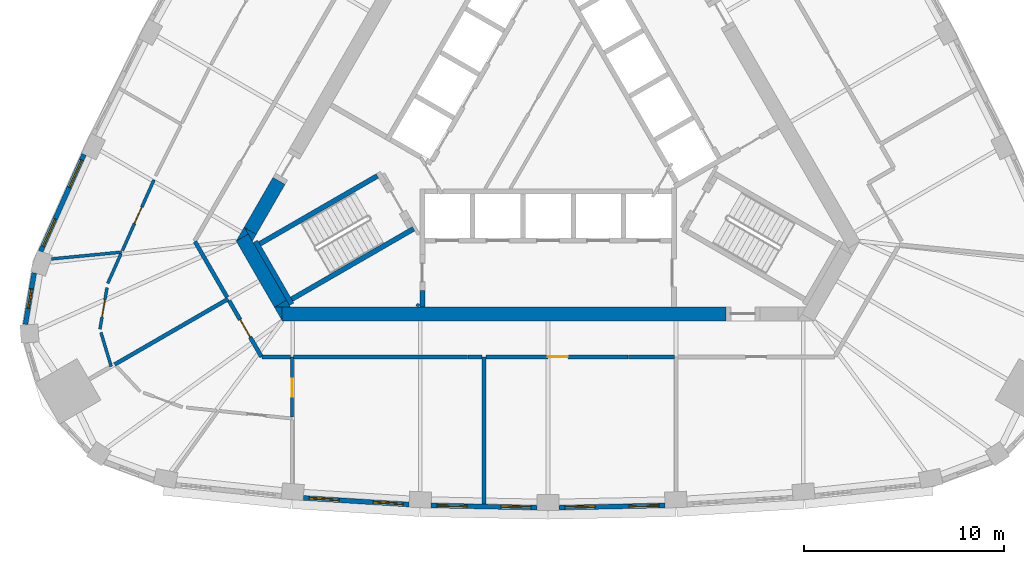
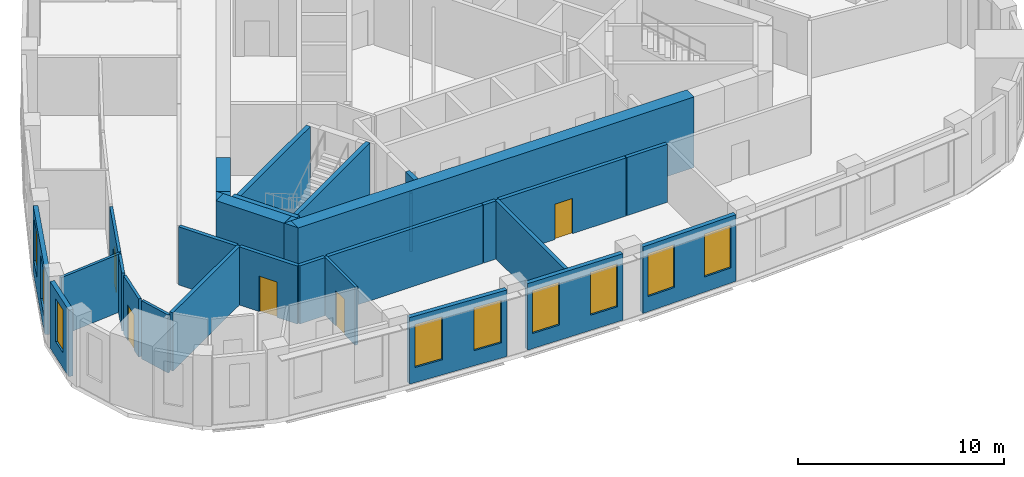
# One storey, part 3 of 10: 32 walls, 9 windows, 5 doors, 14 openings.
"""IFC4 building model written with IfcOpenShell, lengths in metres."""

from ifc_helpers import new_model, si_unit, direction, frame, frame_2d, origin, place, context, subcontext, project, spatial, polyline, rectangle, outline, extrude, material, layer, layer_set, type_object, element, fill, save


model = new_model("IFC4")

# Units and contexts
model_context = context("Model", 3, precision=1e-05, world=origin(), true_north=direction((0.0, 1.0)))
body_context = subcontext(model_context, "Body", "Model", "MODEL_VIEW")
ifc_project = project(units=[si_unit("LENGTHUNIT", "METRE"), si_unit("AREAUNIT", "SQUARE_METRE"), si_unit("VOLUMEUNIT", "CUBIC_METRE"), si_unit("PLANEANGLEUNIT", "RADIAN"), si_unit("MASSUNIT", "GRAM", prefix="KILO")], contexts=[model_context])

# Site, building, storey
site_placement = place(None, origin())
site = spatial("IfcSite", under=ifc_project, at=site_placement, CompositionType="ELEMENT")
building_placement = place(site_placement, origin())
building = spatial("IfcBuilding", under=site, at=building_placement, Name="Mestral Congress Tower", CompositionType="ELEMENT")
storey_placement = place(building_placement, frame((0.0, 0.0, 222.60009765625)))
storey = spatial("IfcBuildingStorey", under=building, at=storey_placement, Name="L52", CompositionType="ELEMENT", Elevation=222.60009765625)

# Walls
ifc_material_1 = material(Name="Fire-rated board partition")
ifc_layer_1 = layer(ifc_material_1, 0.14990234375)
ifc_layer_set_1 = layer_set([ifc_layer_1], Name="Fire-rated board partition")
wall_type_1 = type_object("IfcWallType", Name="Core partition 150", PredefinedType="PARTITIONING", material=ifc_layer_set_1)
wall_1_placement = place(storey_placement, frame((-6.552978515625, -9.6181640625, 0.0), z_axis=(0.0, 0.0, 1.0), x_axis=(0.499915430684, 0.866074224396, 0.0)))
element("IfcWall", 1, at=wall_1_placement, inside=storey, type_object=wall_type_1, Name="L52 core wall", PredefinedType="PARTITIONING", context=body_context, shape_type="SweptSolid", body=[
    extrude(rectangle(XDim=0.14599609375, YDim=0.14990234375, at=frame_2d((0.072998046875, 0.0))), origin(), (0.0, 0.0, 1.0), 3.449951171875),
])
ifc_material_2 = material(Name="Concrete C60/75", Category="concrete")
ifc_layer_2 = layer(ifc_material_2, 0.699951171875)
ifc_layer_set_2 = layer_set([ifc_layer_2], Name="Concrete C60/75")
wall_type_2 = type_object("IfcWallType", Name="Core wall RC 700", PredefinedType="SOLIDWALL", material=ifc_layer_set_2)
wall_2_placement = place(storey_placement, frame((8.904296875, -10.0, 0.0), z_axis=(0.0, 0.0, 1.0), x_axis=(-1.0, 0.0, 0.0)))
element("IfcWall", 2, at=wall_2_placement, inside=storey, type_object=wall_type_2, Name="L52 core wall", PredefinedType="SOLIDWALL", context=body_context, shape_type="SweptSolid", body=[
    extrude(rectangle(XDim=22.226318359375, YDim=0.699951171875, at=frame_2d((11.11328125, 0.0))), origin(), (0.0, 0.0, 1.0), 4.199951171875),
])
placement = place(storey_placement, origin())
element("IfcWall", 3, at=placement, inside=storey, type_object=wall_type_2, Name="L52 core wall", PredefinedType="SOLIDWALL", context=body_context, shape_type="SweptSolid", body=[
    extrude(outline(polyline([(-13.7119140625, -9.64990234375), (-13.323974609375, -9.64990234375), (-13.323974609375, -10.322021484375), (-13.7119140625, -9.64990234375)])), origin(), (0.0, 0.0, 1.0), 4.199951171875),
])
wall_4_placement = place(storey_placement, frame((-13.40185546875, -9.4873046875, 0.0), z_axis=(0.0, 0.0, 1.0), x_axis=(-0.500020498207, 0.866013568815, 0.0)))
element("IfcWall", 4, at=wall_4_placement, inside=storey, type_object=wall_type_2, Name="L52 core wall", PredefinedType="SOLIDWALL", context=body_context, shape_type="SweptSolid", body=[
    extrude(rectangle(XDim=3.828857421875, YDim=0.699951171875, at=frame_2d((1.91455078125, 0.0))), origin(), (0.0, 0.0, 1.0), 4.199951171875),
])
element("IfcWall", 5, at=placement, inside=storey, type_object=wall_type_2, Name="L52 core wall", PredefinedType="SOLIDWALL", context=body_context, shape_type="SweptSolid", body=[
    extrude(outline(polyline([(-15.01416015625, -5.99462890625), (-15.611083984375, -6.33935546875), (-15.213134765625, -5.64990234375), (-15.01416015625, -5.99462890625)])), origin(), (0.0, 0.0, 1.0), 4.199951171875),
])
element("IfcWall", 6, at=placement, inside=storey, type_object=wall_type_2, Name="L52 core wall", PredefinedType="SOLIDWALL", context=body_context, shape_type="SweptSolid", body=[
    extrude(outline(polyline([(-12.90380859375, -9.64990234375), (-13.6796875, -9.64990234375), (-13.097900390625, -9.31396484375), (-12.90380859375, -9.64990234375)])), origin(), (0.0, 0.0, 1.0), 4.199951171875),
])
wall_7_placement = place(storey_placement, frame((-13.47509765625, -3.33935546875, 0.0), z_axis=(0.0, 0.0, 1.0), x_axis=(-0.499944726303, -0.866057313716, 0.0)))
element("IfcWall", 7, at=wall_7_placement, inside=storey, type_object=wall_type_2, Name="L52 core wall", PredefinedType="SOLIDWALL", context=body_context, shape_type="SweptSolid", body=[
    extrude(rectangle(XDim=2.884033203125, YDim=0.699951171875, at=frame_2d((1.44189453125, 0.0))), origin(), (0.0, 0.0, 1.0), 4.199951171875),
])
element("IfcWall", 8, at=placement, inside=storey, type_object=wall_type_2, Name="L52 core wall", PredefinedType="SOLIDWALL", context=body_context, shape_type="SweptSolid", body=[
    extrude(outline(polyline([(-14.80908203125, -6.35009765625), (-15.197021484375, -5.677978515625), (-14.614990234375, -6.013916015625), (-14.80908203125, -6.35009765625)])), origin(), (0.0, 0.0, 1.0), 4.199951171875),
])

# Wall, openings, windows
ifc_material_3 = material(Name="Precast concrete C40/50 with limestone facing", Category="masonry")
ifc_layer_3 = layer(ifc_material_3, 0.239990234375)
ifc_layer_set_3 = layer_set([ifc_layer_3], Name="Precast concrete C40/50 with limestone facing")
wall_type_3 = type_object("IfcWallType", Name="Facade stone wall 240", PredefinedType="SOLIDWALL", material=ifc_layer_set_3)
wall_9_placement = place(storey_placement, frame((-12.253173828125, -19.21337890625, 0.0), z_axis=(0.0, 0.0, 1.0), x_axis=(0.9980633213, -0.062206162685, 0.0)))
wall_9 = element("IfcWall", 9, at=wall_9_placement, inside=storey, type_object=wall_type_3, Name="Facade wall F0-01", PredefinedType="SOLIDWALL", context=body_context, shape_type="SweptSolid", body=[
    extrude(rectangle(XDim=5.29833984375, YDim=0.239990234375, at=frame_2d((2.649169921875, 0.0))), origin(), (0.0, 0.0, 1.0), 3.949951171875),
])
opening_1_placement = place(wall_9_placement, frame((0.29443359375, 0.0, 0.89990234375)))
opening_1 = element("IfcOpeningElement", 10, at=opening_1_placement, cuts=wall_9, Name="Opening W4", PredefinedType="OPENING", context=body_context, shape_type="SweptSolid", body=[
    extrude(rectangle(XDim=1.5, YDim=2.550048828125, at=frame_2d((0.75, 1.27490234375))), frame((0.0, 0.1298828125, 0.0), z_axis=(0.0, -1.0, 0.0), x_axis=(1.0, 0.0, 0.0)), (0.0, 0.0, 1.0), 0.260009765625),
])
opening_2_placement = place(wall_9_placement, frame((3.503662109375, 0.0, 0.89990234375)))
opening_2 = element("IfcOpeningElement", 11, at=opening_2_placement, cuts=wall_9, Name="Opening W4", PredefinedType="OPENING", context=body_context, shape_type="SweptSolid", body=[
    extrude(rectangle(XDim=1.5, YDim=2.550048828125, at=frame_2d((0.75, 1.27490234375))), frame((0.0, 0.1298828125, 0.0), z_axis=(0.0, -1.0, 0.0), x_axis=(1.0, 0.0, 0.0)), (0.0, 0.0, 1.0), 0.260009765625),
])
ifc_material_4 = material(Name="Clear low-emissivity double glazing", Category="glass")
window_type_1 = type_object("IfcWindowType", Name="Facade punched window 1500 x 2550 sill 900", PartitioningType="SINGLE_PANEL", PredefinedType="WINDOW", material=ifc_material_4)
window_1_placement = place(opening_1_placement, origin())
window_1 = element("IfcWindow", 12, at=window_1_placement, inside=storey, type_object=window_type_1, Name="Window F0-01a", OverallHeight=2.550048828125, OverallWidth=1.5, PartitioningType="SINGLE_PANEL", PredefinedType="WINDOW", context=body_context, shape_type="SweptSolid", body=[
    extrude(rectangle(XDim=1.5, YDim=2.550048828125, at=frame_2d((0.75, 1.27490234375))), frame((0.0, 0.0400390625, 0.0), z_axis=(0.0, -1.0, 0.0), x_axis=(1.0, 0.0, 0.0)), (0.0, 0.0, 1.0), 0.06005859375),
])
fill(opening_1, window_1)
window_2_placement = place(opening_2_placement, origin())
window_2 = element("IfcWindow", 13, at=window_2_placement, inside=storey, type_object=window_type_1, Name="Window F0-01b", OverallHeight=2.550048828125, OverallWidth=1.5, PartitioningType="SINGLE_PANEL", PredefinedType="WINDOW", context=body_context, shape_type="SweptSolid", body=[
    extrude(rectangle(XDim=1.5, YDim=2.550048828125, at=frame_2d((0.75, 1.27490234375))), frame((0.0, 0.0400390625, 0.0), z_axis=(0.0, -1.0, 0.0), x_axis=(1.0, 0.0, 0.0)), (0.0, 0.0, 1.0), 0.06005859375),
])
fill(opening_2, window_2)

wall_10_placement = place(storey_placement, frame((-5.853515625, -19.589111328125, 0.0), z_axis=(0.0, 0.0, 1.0), x_axis=(0.999784035184, -0.020781794712, 0.0)))
wall_10 = element("IfcWall", 14, at=wall_10_placement, inside=storey, type_object=wall_type_3, Name="Facade wall F0-02", PredefinedType="SOLIDWALL", context=body_context, shape_type="SweptSolid", body=[
    extrude(rectangle(XDim=5.29833984375, YDim=0.239990234375, at=frame_2d((2.649169921875, 0.0))), origin(), (0.0, 0.0, 1.0), 3.949951171875),
])
opening_3_placement = place(wall_10_placement, frame((0.29443359375, 0.0, 0.89990234375)))
opening_3 = element("IfcOpeningElement", 15, at=opening_3_placement, cuts=wall_10, Name="Opening W4", PredefinedType="OPENING", context=body_context, shape_type="SweptSolid", body=[
    extrude(rectangle(XDim=1.5, YDim=2.550048828125, at=frame_2d((0.75, 1.27490234375))), frame((0.0, 0.1298828125, 0.0), z_axis=(0.0, -1.0, 0.0), x_axis=(1.0, 0.0, 0.0)), (0.0, 0.0, 1.0), 0.260009765625),
])
opening_4_placement = place(wall_10_placement, frame((3.503662109375, 0.0, 0.89990234375)))
opening_4 = element("IfcOpeningElement", 16, at=opening_4_placement, cuts=wall_10, Name="Opening W4", PredefinedType="OPENING", context=body_context, shape_type="SweptSolid", body=[
    extrude(rectangle(XDim=1.5, YDim=2.550048828125, at=frame_2d((0.75, 1.27490234375))), frame((0.0, 0.1298828125, 0.0), z_axis=(0.0, -1.0, 0.0), x_axis=(1.0, 0.0, 0.0)), (0.0, 0.0, 1.0), 0.260009765625),
])
window_3_placement = place(opening_3_placement, origin())
window_3 = element("IfcWindow", 17, at=window_3_placement, inside=storey, type_object=window_type_1, Name="Window F0-02a", OverallHeight=2.550048828125, OverallWidth=1.5, PartitioningType="SINGLE_PANEL", PredefinedType="WINDOW", context=body_context, shape_type="SweptSolid", body=[
    extrude(rectangle(XDim=1.5, YDim=2.550048828125, at=frame_2d((0.75, 1.27490234375))), frame((0.0, 0.0400390625, 0.0), z_axis=(0.0, -1.0, 0.0), x_axis=(1.0, 0.0, 0.0)), (0.0, 0.0, 1.0), 0.06005859375),
])
fill(opening_3, window_3)
window_4_placement = place(opening_4_placement, origin())
window_4 = element("IfcWindow", 18, at=window_4_placement, inside=storey, type_object=window_type_1, Name="Window F0-02b", OverallHeight=2.550048828125, OverallWidth=1.5, PartitioningType="SINGLE_PANEL", PredefinedType="WINDOW", context=body_context, shape_type="SweptSolid", body=[
    extrude(rectangle(XDim=1.5, YDim=2.550048828125, at=frame_2d((0.75, 1.27490234375))), frame((0.0, 0.0400390625, 0.0), z_axis=(0.0, -1.0, 0.0), x_axis=(1.0, 0.0, 0.0)), (0.0, 0.0, 1.0), 0.06005859375),
])
fill(opening_4, window_4)

wall_11_placement = place(storey_placement, frame((0.556396484375, -19.69921875, 0.0), z_axis=(0.0, 0.0, 1.0), x_axis=(0.999784035184, 0.020781794712, 0.0)))
wall_11 = element("IfcWall", 19, at=wall_11_placement, inside=storey, type_object=wall_type_3, Name="Facade wall F0-03", PredefinedType="SOLIDWALL", context=body_context, shape_type="SweptSolid", body=[
    extrude(rectangle(XDim=5.29833984375, YDim=0.239990234375, at=frame_2d((2.649169921875, 0.0))), origin(), (0.0, 0.0, 1.0), 3.949951171875),
])
opening_5_placement = place(wall_11_placement, frame((0.29443359375, 0.0, 0.89990234375)))
opening_5 = element("IfcOpeningElement", 20, at=opening_5_placement, cuts=wall_11, Name="Opening W4", PredefinedType="OPENING", context=body_context, shape_type="SweptSolid", body=[
    extrude(rectangle(XDim=1.5, YDim=2.550048828125, at=frame_2d((0.75, 1.27490234375))), frame((0.0, 0.1298828125, 0.0), z_axis=(0.0, -1.0, 0.0), x_axis=(1.0, 0.0, 0.0)), (0.0, 0.0, 1.0), 0.260009765625),
])
opening_6_placement = place(wall_11_placement, frame((3.503662109375, 0.0, 0.89990234375)))
opening_6 = element("IfcOpeningElement", 21, at=opening_6_placement, cuts=wall_11, Name="Opening W4", PredefinedType="OPENING", context=body_context, shape_type="SweptSolid", body=[
    extrude(rectangle(XDim=1.5, YDim=2.550048828125, at=frame_2d((0.75, 1.27490234375))), frame((0.0, 0.1298828125, 0.0), z_axis=(0.0, -1.0, 0.0), x_axis=(1.0, 0.0, 0.0)), (0.0, 0.0, 1.0), 0.260009765625),
])
window_5_placement = place(opening_5_placement, origin())
window_5 = element("IfcWindow", 22, at=window_5_placement, inside=storey, type_object=window_type_1, Name="Window F0-03a", OverallHeight=2.550048828125, OverallWidth=1.5, PartitioningType="SINGLE_PANEL", PredefinedType="WINDOW", context=body_context, shape_type="SweptSolid", body=[
    extrude(rectangle(XDim=1.5, YDim=2.550048828125, at=frame_2d((0.75, 1.27490234375))), frame((0.0, 0.0400390625, 0.0), z_axis=(0.0, -1.0, 0.0), x_axis=(1.0, 0.0, 0.0)), (0.0, 0.0, 1.0), 0.06005859375),
])
fill(opening_5, window_5)
window_6_placement = place(opening_6_placement, origin())
window_6 = element("IfcWindow", 23, at=window_6_placement, inside=storey, type_object=window_type_1, Name="Window F0-03b", OverallHeight=2.550048828125, OverallWidth=1.5, PartitioningType="SINGLE_PANEL", PredefinedType="WINDOW", context=body_context, shape_type="SweptSolid", body=[
    extrude(rectangle(XDim=1.5, YDim=2.550048828125, at=frame_2d((0.75, 1.27490234375))), frame((0.0, 0.0400390625, 0.0), z_axis=(0.0, -1.0, 0.0), x_axis=(1.0, 0.0, 0.0)), (0.0, 0.0, 1.0), 0.06005859375),
])
fill(opening_6, window_6)

wall_12_placement = place(storey_placement, frame((-23.240478515625, -2.01123046875, 0.0), z_axis=(0.0, 0.0, 1.0), x_axis=(-0.407579651789, -0.913169659728, 0.0)))
wall_12 = element("IfcWall", 24, at=wall_12_placement, inside=storey, type_object=wall_type_3, Name="Facade wall F2-05", PredefinedType="SOLIDWALL", context=body_context, shape_type="SweptSolid", body=[
    extrude(rectangle(XDim=5.310791015625, YDim=0.239990234375, at=frame_2d((2.6552734375, 0.0))), origin(), (0.0, 0.0, 1.0), 3.949951171875),
])
opening_7_placement = place(wall_12_placement, frame((0.306396484375, 0.0, 0.89990234375)))
opening_7 = element("IfcOpeningElement", 25, at=opening_7_placement, cuts=wall_12, Name="Opening W4", PredefinedType="OPENING", context=body_context, shape_type="SweptSolid", body=[
    extrude(rectangle(XDim=1.5, YDim=2.550048828125, at=frame_2d((0.75, 1.27490234375))), frame((0.0, 0.1298828125, 0.0), z_axis=(0.0, -1.0, 0.0), x_axis=(1.0, 0.0, 0.0)), (0.0, 0.0, 1.0), 0.260009765625),
])
opening_8_placement = place(wall_12_placement, frame((3.539306640625, 0.0, 0.89990234375)))
opening_8 = element("IfcOpeningElement", 26, at=opening_8_placement, cuts=wall_12, Name="Opening W4", PredefinedType="OPENING", context=body_context, shape_type="SweptSolid", body=[
    extrude(rectangle(XDim=1.5, YDim=2.550048828125, at=frame_2d((0.75, 1.27490234375))), frame((0.0, 0.1298828125, 0.0), z_axis=(0.0, -1.0, 0.0), x_axis=(1.0, 0.0, 0.0)), (0.0, 0.0, 1.0), 0.260009765625),
])
window_7_placement = place(opening_7_placement, origin())
window_7 = element("IfcWindow", 27, at=window_7_placement, inside=storey, type_object=window_type_1, Name="Window F2-05a", OverallHeight=2.550048828125, OverallWidth=1.5, PartitioningType="SINGLE_PANEL", PredefinedType="WINDOW", context=body_context, shape_type="SweptSolid", body=[
    extrude(rectangle(XDim=1.5, YDim=2.550048828125, at=frame_2d((0.75, 1.27490234375))), frame((0.0, 0.0400390625, 0.0), z_axis=(0.0, -1.0, 0.0), x_axis=(1.0, 0.0, 0.0)), (0.0, 0.0, 1.0), 0.06005859375),
])
fill(opening_7, window_7)
window_8_placement = place(opening_8_placement, origin())
window_8 = element("IfcWindow", 28, at=window_8_placement, inside=storey, type_object=window_type_1, Name="Window F2-05b", OverallHeight=2.550048828125, OverallWidth=1.5, PartitioningType="SINGLE_PANEL", PredefinedType="WINDOW", context=body_context, shape_type="SweptSolid", body=[
    extrude(rectangle(XDim=1.5, YDim=2.550048828125, at=frame_2d((0.75, 1.27490234375))), frame((0.0, 0.0400390625, 0.0), z_axis=(0.0, -1.0, 0.0), x_axis=(1.0, 0.0, 0.0)), (0.0, 0.0, 1.0), 0.06005859375),
])
fill(opening_8, window_8)

# Wall, opening, window
wall_13_placement = place(storey_placement, frame((-25.734130859375, -7.94482421875, 0.0), z_axis=(0.0, 0.0, 1.0), x_axis=(-0.167660055546, -0.985844869021, 0.0)))
wall_13 = element("IfcWall", 29, at=wall_13_placement, inside=storey, type_object=wall_type_3, Name="Facade wall K2-0", PredefinedType="SOLIDWALL", context=body_context, shape_type="SweptSolid", body=[
    extrude(rectangle(XDim=2.609375, YDim=0.239990234375, at=frame_2d((1.3046875, 0.0))), origin(), (0.0, 0.0, 1.0), 3.949951171875),
])
opening_9_placement = place(wall_13_placement, frame((0.8046875, 0.0, 0.89990234375)))
opening_9 = element("IfcOpeningElement", 30, at=opening_9_placement, cuts=wall_13, Name="Opening W5", PredefinedType="OPENING", context=body_context, shape_type="SweptSolid", body=[
    extrude(rectangle(XDim=1.0, YDim=2.550048828125, at=frame_2d((0.5, 1.27490234375))), frame((0.0, 0.1298828125, 0.0), z_axis=(0.0, -1.0, 0.0), x_axis=(1.0, 0.0, 0.0)), (0.0, 0.0, 1.0), 0.260009765625),
])
window_type_2 = type_object("IfcWindowType", Name="Facade punched window 1000 x 2550 sill 900", PartitioningType="SINGLE_PANEL", PredefinedType="WINDOW", material=ifc_material_4)
window_9_placement = place(opening_9_placement, origin())
window_9 = element("IfcWindow", 31, at=window_9_placement, inside=storey, type_object=window_type_2, Name="Window K2-0", OverallHeight=2.550048828125, OverallWidth=1.0, PartitioningType="SINGLE_PANEL", PredefinedType="WINDOW", context=body_context, shape_type="SweptSolid", body=[
    extrude(rectangle(XDim=1.0, YDim=2.550048828125, at=frame_2d((0.5, 1.27490234375))), frame((0.0, 0.0400390625, 0.0), z_axis=(0.0, -1.0, 0.0), x_axis=(1.0, 0.0, 0.0)), (0.0, 0.0, 1.0), 0.06005859375),
])
fill(opening_9, window_9)

# Wall
ifc_material_5 = material(Name="Plasterboard partition on steel studs", Category="steel")
ifc_layer_4 = layer(ifc_material_5, 0.14990234375)
ifc_layer_set_4 = layer_set([ifc_layer_4], Name="Plasterboard partition on steel studs")
wall_type_4 = type_object("IfcWallType", Name="Office partition 150", PredefinedType="PARTITIONING", material=ifc_layer_set_4)
wall_14_placement = place(storey_placement, frame((-21.350830078125, -6.904296875, 0.0), z_axis=(0.0, 0.0, 1.0), x_axis=(-0.995356631468, -0.096255785242, 0.0)))
element("IfcWall", 32, at=wall_14_placement, inside=storey, type_object=wall_type_4, Name="Partition", PredefinedType="PARTITIONING", context=body_context, shape_type="SweptSolid", body=[
    extrude(rectangle(XDim=3.53564453125, YDim=0.14990234375, at=frame_2d((1.767822265625, 0.0))), origin(), (0.0, 0.0, 1.0), 3.449951171875),
])

# Wall, opening, door
wall_15_placement = place(storey_placement, frame((-21.315673828125, -6.82568359375, 0.0), z_axis=(0.0, 0.0, 1.0), x_axis=(0.407639588163, 0.913142905663, 0.0)))
wall_15 = element("IfcWall", 33, at=wall_15_placement, inside=storey, type_object=wall_type_4, Name="Partition", PredefinedType="PARTITIONING", context=body_context, shape_type="SweptSolid", body=[
    extrude(rectangle(XDim=3.876708984375, YDim=0.14990234375, at=frame_2d((1.9384765625, 0.0))), origin(), (0.0, 0.0, 1.0), 3.449951171875),
])
opening_10_placement = place(wall_15_placement, frame((1.4765625, 0.0, 0.0)))
opening_10 = element("IfcOpeningElement", 34, at=opening_10_placement, cuts=wall_15, Name="Opening O07-014", PredefinedType="OPENING", context=body_context, shape_type="SweptSolid", body=[
    extrude(rectangle(XDim=0.89990234375, YDim=2.10009765625, at=frame_2d((0.449951171875, 1.050048828125))), frame((0.0, 0.0849609375, 0.0), z_axis=(0.0, -1.0, 0.0), x_axis=(1.0, 0.0, 0.0)), (0.0, 0.0, 1.0), 0.169921875),
])
ifc_material_6 = material(Name="Timber door set", Category="wood")
door_type_1 = type_object("IfcDoorType", Name="Office door 900x2100", OperationType="SINGLE_SWING_LEFT", PredefinedType="DOOR", material=ifc_material_6)
door_1_placement = place(opening_10_placement, origin())
door_1 = element("IfcDoor", 35, at=door_1_placement, inside=storey, type_object=door_type_1, Name="Door O07-014", OperationType="SINGLE_SWING_LEFT", OverallHeight=2.10009765625, OverallWidth=0.89990234375, PredefinedType="DOOR", context=body_context, shape_type="SweptSolid", body=[
    extrude(rectangle(XDim=0.89990234375, YDim=2.10009765625, at=frame_2d((0.449951171875, 1.050048828125))), frame((0.0, 0.02490234375, 0.0), z_axis=(0.0, -1.0, 0.0), x_axis=(1.0, 0.0, 0.0)), (0.0, 0.0, 1.0), 0.050048828125),
])
fill(opening_10, door_1)

# Wall
wall_16_placement = place(storey_placement, frame((-21.385986328125, -6.983154296875, 0.0), z_axis=(0.0, 0.0, 1.0), x_axis=(-0.407597309494, -0.91316177827, 0.0)))
element("IfcWall", 36, at=wall_16_placement, inside=storey, type_object=wall_type_4, Name="Partition", PredefinedType="PARTITIONING", context=body_context, shape_type="SweptSolid", body=[
    extrude(rectangle(XDim=1.6298828125, YDim=0.14990234375, at=frame_2d((0.81494140625, 0.0))), origin(), (0.0, 0.0, 1.0), 3.449951171875),
])

# Wall, opening, door
wall_17_placement = place(storey_placement, frame((-22.43994140625, -10.7626953125, 0.0), z_axis=(0.0, 0.0, 1.0), x_axis=(0.167682096872, 0.985841120257, 0.0)))
wall_17 = element("IfcWall", 37, at=wall_17_placement, inside=storey, type_object=wall_type_4, Name="Partition", PredefinedType="PARTITIONING", context=body_context, shape_type="SweptSolid", body=[
    extrude(rectangle(XDim=2.109619140625, YDim=0.14990234375, at=frame_2d((1.0546875, 0.0))), origin(), (0.0, 0.0, 1.0), 3.449951171875),
])
opening_11_placement = place(wall_17_placement, frame((0.609619140625, 0.0, 0.0)))
opening_11 = element("IfcOpeningElement", 38, at=opening_11_placement, cuts=wall_17, Name="Opening O07-015", PredefinedType="OPENING", context=body_context, shape_type="SweptSolid", body=[
    extrude(rectangle(XDim=0.89990234375, YDim=2.10009765625, at=frame_2d((0.449951171875, 1.050048828125))), frame((0.0, 0.0849609375, 0.0), z_axis=(0.0, -1.0, 0.0), x_axis=(1.0, 0.0, 0.0)), (0.0, 0.0, 1.0), 0.169921875),
])
door_2_placement = place(opening_11_placement, origin())
door_2 = element("IfcDoor", 39, at=door_2_placement, inside=storey, type_object=door_type_1, Name="Door O07-015", OperationType="SINGLE_SWING_RIGHT", OverallHeight=2.10009765625, OverallWidth=0.89990234375, PredefinedType="DOOR", context=body_context, shape_type="SweptSolid", body=[
    extrude(rectangle(XDim=0.89990234375, YDim=2.10009765625, at=frame_2d((0.449951171875, 1.050048828125))), frame((0.0, 0.02490234375, 0.0), z_axis=(0.0, -1.0, 0.0), x_axis=(1.0, 0.0, 0.0)), (0.0, 0.0, 1.0), 0.050048828125),
])
fill(opening_11, door_2)

# Wall
wall_18_placement = place(storey_placement, frame((-22.39111328125, -10.924072265625, 0.0), z_axis=(0.0, 0.0, 1.0), x_axis=(0.288642134652, -0.957437056993, 0.0)))
element("IfcWall", 40, at=wall_18_placement, inside=storey, type_object=wall_type_4, Name="Partition", PredefinedType="PARTITIONING", context=body_context, shape_type="SweptSolid", body=[
    extrude(rectangle(XDim=1.7822265625, YDim=0.14990234375, at=frame_2d((0.89111328125, 0.0))), origin(), (0.0, 0.0, 1.0), 3.449951171875),
])

# Wall, opening, door
wall_19_placement = place(storey_placement, frame((-12.822509765625, -12.14990234375, 0.0), z_axis=(0.0, 0.0, 1.0), x_axis=(0.0, -1.0, 0.0)))
wall_19 = element("IfcWall", 41, at=wall_19_placement, inside=storey, type_object=wall_type_4, Name="Partition", PredefinedType="PARTITIONING", context=body_context, shape_type="SweptSolid", body=[
    extrude(rectangle(XDim=3.0107421875, YDim=0.14990234375, at=frame_2d((1.50537109375, 0.0))), origin(), (0.0, 0.0, 1.0), 3.449951171875),
])
opening_12_placement = place(wall_19_placement, frame((1.10009765625, 0.0, 0.0)))
opening_12 = element("IfcOpeningElement", 42, at=opening_12_placement, cuts=wall_19, Name="Opening O07-020", PredefinedType="OPENING", context=body_context, shape_type="SweptSolid", body=[
    extrude(rectangle(XDim=0.89990234375, YDim=2.10009765625, at=frame_2d((0.449951171875, 1.050048828125))), frame((0.0, 0.0849609375, 0.0), z_axis=(0.0, -1.0, 0.0), x_axis=(1.0, 0.0, 0.0)), (0.0, 0.0, 1.0), 0.169921875),
])
door_3_placement = place(opening_12_placement, origin())
door_3 = element("IfcDoor", 43, at=door_3_placement, inside=storey, type_object=door_type_1, Name="Door O07-020", OperationType="SINGLE_SWING_RIGHT", OverallHeight=2.10009765625, OverallWidth=0.89990234375, PredefinedType="DOOR", context=body_context, shape_type="SweptSolid", body=[
    extrude(rectangle(XDim=0.89990234375, YDim=2.10009765625, at=frame_2d((0.449951171875, 1.050048828125))), frame((0.0, 0.02490234375, 0.0), z_axis=(0.0, -1.0, 0.0), x_axis=(1.0, 0.0, 0.0)), (0.0, 0.0, 1.0), 0.050048828125),
])
fill(opening_12, door_3)

# Wall
ifc_material_7 = material(Name="Dense masonry wall, plastered", Category="masonry")
ifc_layer_5 = layer(ifc_material_7, 0.199951171875)
ifc_layer_set_5 = layer_set([ifc_layer_5], Name="Dense masonry wall, plastered")
wall_type_5 = type_object("IfcWallType", Name="Office tenancy wall 200", PredefinedType="PARTITIONING", material=ifc_layer_set_5)
wall_20_placement = place(storey_placement, frame((-3.20849609375, -19.524169921875, 0.0), z_axis=(0.0, 0.0, 1.0), x_axis=(0.0, 1.0, 0.0)))
element("IfcWall", 44, at=wall_20_placement, inside=storey, type_object=wall_type_5, Name="Tenancy wall", PredefinedType="PARTITIONING", context=body_context, shape_type="SweptSolid", body=[
    extrude(rectangle(XDim=7.374267578125, YDim=0.199951171875, at=frame_2d((3.68701171875, 0.0))), origin(), (0.0, 0.0, 1.0), 3.449951171875),
])

# Wall, opening, door
wall_21_placement = place(storey_placement, frame((-3.1083984375, -12.14990234375, 0.0), z_axis=(0.0, 0.0, 1.0), x_axis=(1.0, 0.0, 0.0)))
wall_21 = element("IfcWall", 45, at=wall_21_placement, inside=storey, type_object=wall_type_5, Name="Tenancy wall", PredefinedType="PARTITIONING", context=body_context, shape_type="SweptSolid", body=[
    extrude(rectangle(XDim=7.1083984375, YDim=0.199951171875, at=frame_2d((3.55419921875, 0.0))), origin(), (0.0, 0.0, 1.0), 3.449951171875),
])
opening_13_placement = place(wall_21_placement, frame((3.10009765625, 0.0, 0.0)))
opening_13 = element("IfcOpeningElement", 46, at=opening_13_placement, cuts=wall_21, Name="Opening O07-001", PredefinedType="OPENING", context=body_context, shape_type="SweptSolid", body=[
    extrude(rectangle(XDim=1.0, YDim=2.10009765625, at=frame_2d((0.5, 1.050048828125))), frame((0.0, 0.10986328125, 0.0), z_axis=(0.0, -1.0, 0.0), x_axis=(1.0, 0.0, 0.0)), (0.0, 0.0, 1.0), 0.219970703125),
])
ifc_material_8 = material(Name="Fire-rated timber door set", Category="wood")
door_type_2 = type_object("IfcDoorType", Name="Office tenancy entrance door 1000x2100", OperationType="SINGLE_SWING_LEFT", PredefinedType="DOOR", material=ifc_material_8)
door_4_placement = place(opening_13_placement, origin())
door_4 = element("IfcDoor", 47, at=door_4_placement, inside=storey, type_object=door_type_2, Name="Door O07-001", OperationType="SINGLE_SWING_RIGHT", OverallHeight=2.10009765625, OverallWidth=1.0, PredefinedType="DOOR", context=body_context, shape_type="SweptSolid", body=[
    extrude(rectangle(XDim=1.0, YDim=2.10009765625, at=frame_2d((0.5, 1.050048828125))), frame((0.0, 0.02490234375, 0.0), z_axis=(0.0, -1.0, 0.0), x_axis=(1.0, 0.0, 0.0)), (0.0, 0.0, 1.0), 0.050048828125),
])
fill(opening_13, door_4)

# Walls
wall_22_placement = place(storey_placement, frame((4.030029296875, -12.14990234375, 0.0), z_axis=(0.0, 0.0, 1.0), x_axis=(1.0, 0.0, 0.0)))
element("IfcWall", 48, at=wall_22_placement, inside=storey, type_object=wall_type_5, Name="Tenancy wall", PredefinedType="PARTITIONING", context=body_context, shape_type="SweptSolid", body=[
    extrude(rectangle(XDim=2.286865234375, YDim=0.199951171875, at=frame_2d((1.1435546875, 0.0))), origin(), (0.0, 0.0, 1.0), 3.449951171875),
])
wall_23_placement = place(storey_placement, frame((-16.021484375, -9.25, 0.0), z_axis=(0.0, 0.0, 1.0), x_axis=(-0.866021955858, -0.500005971936, 0.0)))
element("IfcWall", 49, at=wall_23_placement, inside=storey, type_object=wall_type_5, Name="Tenancy wall", PredefinedType="PARTITIONING", context=body_context, shape_type="SweptSolid", body=[
    extrude(rectangle(XDim=6.5595703125, YDim=0.199951171875, at=frame_2d((3.27978515625, 0.0))), origin(), (0.0, 0.0, 1.0), 3.449951171875),
])
wall_24_placement = place(storey_placement, frame((-17.680908203125, -6.3759765625, 0.0), z_axis=(0.0, 0.0, 1.0), x_axis=(0.500022299258, -0.866012528919, 0.0)))
element("IfcWall", 50, at=wall_24_placement, inside=storey, type_object=wall_type_5, Name="Tenancy wall", PredefinedType="PARTITIONING", context=body_context, shape_type="SweptSolid", body=[
    extrude(rectangle(XDim=3.218505859375, YDim=0.199951171875, at=frame_2d((1.609375, 0.0))), origin(), (0.0, 0.0, 1.0), 3.449951171875),
])

# Wall, opening, door
wall_25_placement = place(storey_placement, frame((-15.971435546875, -9.336669921875, 0.0), z_axis=(0.0, 0.0, 1.0), x_axis=(0.500010870188, -0.866019127788, 0.0)))
wall_25 = element("IfcWall", 51, at=wall_25_placement, inside=storey, type_object=wall_type_5, Name="Tenancy wall", PredefinedType="PARTITIONING", context=body_context, shape_type="SweptSolid", body=[
    extrude(rectangle(XDim=3.24853515625, YDim=0.199951171875, at=frame_2d((1.624267578125, 0.0))), origin(), (0.0, 0.0, 1.0), 3.449951171875),
])
opening_14_placement = place(wall_25_placement, frame((1.10009765625, 0.0, 0.0)))
opening_14 = element("IfcOpeningElement", 52, at=opening_14_placement, cuts=wall_25, Name="Opening O07-019", PredefinedType="OPENING", context=body_context, shape_type="SweptSolid", body=[
    extrude(rectangle(XDim=1.0, YDim=2.10009765625, at=frame_2d((0.5, 1.050048828125))), frame((0.0, 0.10986328125, 0.0), z_axis=(0.0, -1.0, 0.0), x_axis=(1.0, 0.0, 0.0)), (0.0, 0.0, 1.0), 0.219970703125),
])
door_5_placement = place(opening_14_placement, origin())
door_5 = element("IfcDoor", 53, at=door_5_placement, inside=storey, type_object=door_type_2, Name="Door O07-019", OperationType="SINGLE_SWING_LEFT", OverallHeight=2.10009765625, OverallWidth=1.0, PredefinedType="DOOR", context=body_context, shape_type="SweptSolid", body=[
    extrude(rectangle(XDim=1.0, YDim=2.10009765625, at=frame_2d((0.5, 1.050048828125))), frame((0.0, 0.02490234375, 0.0), z_axis=(0.0, -1.0, 0.0), x_axis=(1.0, 0.0, 0.0)), (0.0, 0.0, 1.0), 0.050048828125),
])
fill(opening_14, door_5)

# Walls
wall_26_placement = place(storey_placement, frame((-14.317138671875, -12.14990234375, 0.0), z_axis=(0.0, 0.0, 1.0), x_axis=(1.0, 0.0, 0.0)))
element("IfcWall", 54, at=wall_26_placement, inside=storey, type_object=wall_type_5, Name="Tenancy wall", PredefinedType="PARTITIONING", context=body_context, shape_type="SweptSolid", body=[
    extrude(rectangle(XDim=1.41943359375, YDim=0.199951171875, at=frame_2d((0.709716796875, 0.0))), origin(), (0.0, 0.0, 1.0), 3.449951171875),
])
wall_27_placement = place(storey_placement, frame((-4.0, -12.14990234375, 0.0), z_axis=(0.0, 0.0, 1.0), x_axis=(1.0, 0.0, 0.0)))
element("IfcWall", 55, at=wall_27_placement, inside=storey, type_object=wall_type_5, Name="Tenancy wall", PredefinedType="PARTITIONING", context=body_context, shape_type="SweptSolid", body=[
    extrude(rectangle(XDim=0.691650390625, YDim=0.199951171875, at=frame_2d((0.345703125, 0.0))), origin(), (0.0, 0.0, 1.0), 3.449951171875),
])
wall_28_placement = place(storey_placement, frame((-12.74755859375, -12.14990234375, 0.0), z_axis=(0.0, 0.0, 1.0), x_axis=(1.0, 0.0, 0.0)))
element("IfcWall", 56, at=wall_28_placement, inside=storey, type_object=wall_type_5, Name="Tenancy wall", PredefinedType="PARTITIONING", context=body_context, shape_type="SweptSolid", body=[
    extrude(rectangle(XDim=8.717529296875, YDim=0.199951171875, at=frame_2d((4.35888671875, 0.0))), origin(), (0.0, 0.0, 1.0), 3.449951171875),
])
ifc_layer_6 = layer(ifc_material_2, 0.25)
ifc_layer_set_6 = layer_set([ifc_layer_6], Name="Concrete C60/75")
wall_type_6 = type_object("IfcWallType", Name="Shaft wall RC 250", PredefinedType="SOLIDWALL", material=ifc_layer_set_6)
wall_29_placement = place(storey_placement, frame((-6.300048828125, -9.64990234375, 0.0), z_axis=(0.0, 0.0, 1.0), x_axis=(0.0, 1.0, 0.0)))
element("IfcWall", 57, at=wall_29_placement, inside=storey, type_object=wall_type_6, Name="L52 core wall", PredefinedType="SOLIDWALL", context=body_context, shape_type="SweptSolid", body=[
    extrude(rectangle(XDim=0.816162109375, YDim=0.25, at=frame_2d((0.408203125, 0.0))), origin(), (0.0, 0.0, 1.0), 4.199951171875),
])
ifc_layer_7 = layer(ifc_material_2, 0.25)
ifc_layer_set_7 = layer_set([ifc_layer_7], Name="Concrete C60/75")
wall_type_7 = type_object("IfcWallType", Name="Stair wall RC 250", PredefinedType="SOLIDWALL", material=ifc_layer_set_7)
wall_30_placement = place(storey_placement, frame((-12.839599609375, -9.510986328125, 0.0), z_axis=(0.0, 0.0, 1.0), x_axis=(-0.499997733992, 0.866026712061, 0.0)))
element("IfcWall", 58, at=wall_30_placement, inside=storey, type_object=wall_type_7, Name="L52 core wall", PredefinedType="SOLIDWALL", context=body_context, shape_type="SweptSolid", body=[
    extrude(rectangle(XDim=3.6337890625, YDim=0.25, at=frame_2d((1.81689453125, 0.0))), origin(), (0.0, 0.0, 1.0), 4.199951171875),
])
wall_31_placement = place(storey_placement, frame((-14.43994140625, -6.489501953125, 0.0), z_axis=(0.0, 0.0, 1.0), x_axis=(0.866022966069, 0.500004222222, 0.0)))
element("IfcWall", 59, at=wall_31_placement, inside=storey, type_object=wall_type_7, Name="L52 core wall", PredefinedType="SOLIDWALL", context=body_context, shape_type="SweptSolid", body=[
    extrude(rectangle(XDim=6.80029296875, YDim=0.25, at=frame_2d((3.400146484375, 0.0))), origin(), (0.0, 0.0, 1.0), 4.199951171875),
])
wall_32_placement = place(storey_placement, frame((-12.83984375, -9.2607421875, 0.0), z_axis=(0.0, 0.0, 1.0), x_axis=(0.866016039709, 0.500016218704, 0.0)))
element("IfcWall", 60, at=wall_32_placement, inside=storey, type_object=wall_type_7, Name="L52 core wall", PredefinedType="SOLIDWALL", context=body_context, shape_type="SweptSolid", body=[
    extrude(rectangle(XDim=7.050048828125, YDim=0.25, at=frame_2d((3.52490234375, 0.0))), origin(), (0.0, 0.0, 1.0), 4.199951171875),
])

save(model, "model.ifc")
